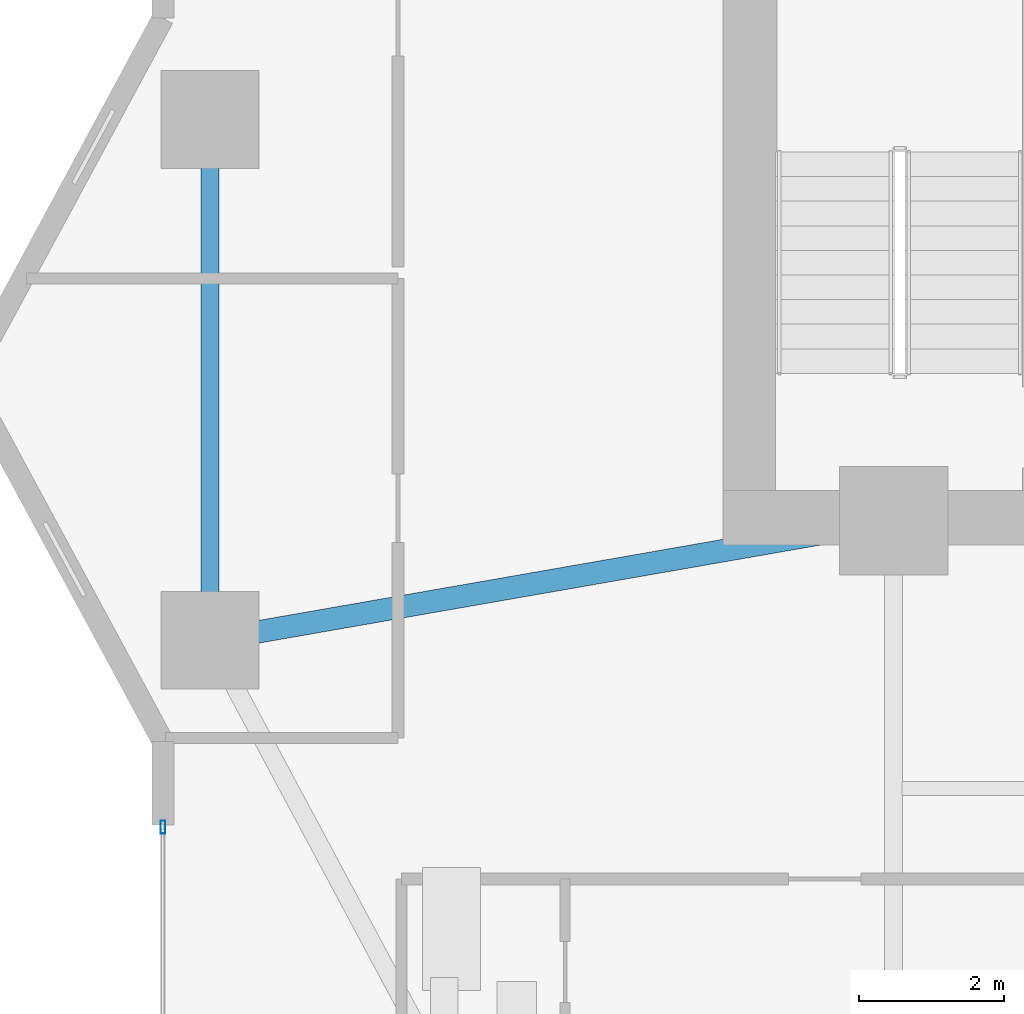
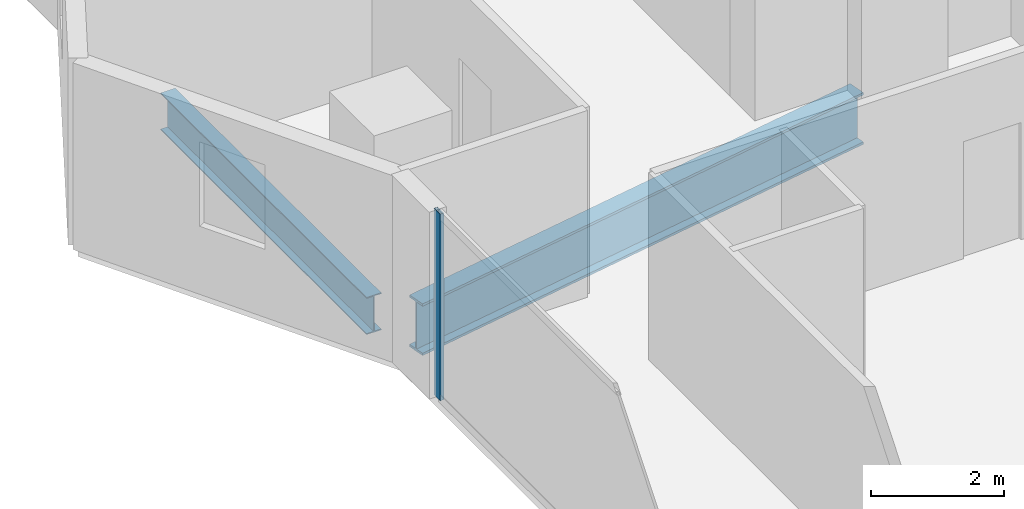
# One storey, part 7 of 28: 2 beams, 1 member, 1 element without a shape of its own.
"""IFC4 building model written with IfcOpenShell, lengths in metres."""

import ifcopenshell
import ifcopenshell.guid

model = None  # the IFC model being written
_history = None  # IfcOwnerHistory: only IFC2X3 demands one
_inside = {}  # id of a spatial element -> (the spatial element, [elements in it])
_under = {}  # id of a project, library or spatial element -> (it, [spatial elements below it])
_declared = {}  # id of a project -> (the project, [libraries it declares])
_typed = {}  # id of a type object -> (the type object, [elements of that type])
_made_of = {}  # id of a material, layer set ... -> (it, [elements and type objects made of it])


def new_model(schema):
    """Start an empty IFC model of exactly this schema.

    Asked for "IFC4X3", IfcOpenShell would pick the latest addendum, in which some entities
    have other attributes; the version numbers below select the first issue.
    IFC2X3 requires an IfcOwnerHistory on every rooted entity: one is made here for all.
    """
    global model, _history
    if schema == "IFC4X3":
        model = ifcopenshell.file(schema_version=(4, 3, 0, 0))
    else:
        model = ifcopenshell.file(schema=schema)
    _inside.clear()
    _under.clear()
    _declared.clear()
    _typed.clear()
    _made_of.clear()
    _history = None
    if model.schema == "IFC2X3":
        org = make("IfcOrganization", Name="unknown")
        user = make(
            "IfcPersonAndOrganization",
            ThePerson=make("IfcPerson", FamilyName="unknown"),
            TheOrganization=org,
        )
        app = make(
            "IfcApplication",
            ApplicationDeveloper=org,
            Version="unknown",
            ApplicationFullName="unknown",
            ApplicationIdentifier="unknown",
        )
        _history = make(
            "IfcOwnerHistory",
            OwningUser=user,
            OwningApplication=app,
            ChangeAction="ADDED",
            CreationDate=0,
        )
    return model


def make(cls, **values):
    """One entity of the class cls with the attributes given. An attribute that is None is left unset."""
    return model.create_entity(
        cls, **{name: value for name, value in values.items() if value is not None}
    )


def rooted(cls, **values):
    """An entity with a GlobalId (a new one), such as an element, a storey or a relation."""
    return make(cls, GlobalId=ifcopenshell.guid.new(), OwnerHistory=_history, **values)


def si_unit(unit_type, name, prefix=None):
    """IfcSIUnit, for example si_unit("LENGTHUNIT", "METRE", prefix="MILLI")."""
    return make("IfcSIUnit", UnitType=unit_type, Prefix=prefix, Name=name)


def assignment(units):
    """IfcUnitAssignment: the units of a project."""
    return None if units is None else make("IfcUnitAssignment", Units=units)


def point(xyz):
    """IfcCartesianPoint."""
    return None if xyz is None else make("IfcCartesianPoint", Coordinates=xyz)


def direction(xyz):
    """IfcDirection."""
    return None if xyz is None else make("IfcDirection", DirectionRatios=xyz)


def frame(location, z_axis=None, x_axis=None):
    """IfcAxis2Placement3D, a coordinate frame: its origin and axes. An axis left out is left unset."""
    return make(
        "IfcAxis2Placement3D",
        Location=point(location),
        Axis=direction(z_axis),
        RefDirection=direction(x_axis),
    )


def frame_2d(location, x_axis=None):
    """IfcAxis2Placement2D, a coordinate frame in the plane: its origin and x axis."""
    return make(
        "IfcAxis2Placement2D", Location=point(location), RefDirection=direction(x_axis)
    )


def origin():
    """The frame at (0, 0, 0) with its axes left unset."""
    return frame((0.0, 0.0, 0.0))


def origin_2d():
    """The frame at (0, 0) in the plane with its x axis left unset."""
    return frame_2d((0.0, 0.0))


def place(relative_to, where):
    """IfcLocalPlacement: puts the frame where relative to a parent placement (None: the world)."""
    return make(
        "IfcLocalPlacement", PlacementRelTo=relative_to, RelativePlacement=where
    )


def context(
    kind, dimensions, precision=None, world=None, true_north=None, identifier=None
):
    """IfcGeometricRepresentationContext, for example the 3D "Model" context."""
    return make(
        "IfcGeometricRepresentationContext",
        ContextIdentifier=identifier,
        ContextType=kind,
        CoordinateSpaceDimension=dimensions,
        Precision=precision,
        WorldCoordinateSystem=world,
        TrueNorth=true_north,
    )


def subcontext(parent, identifier, kind, view, scale=None):
    """IfcGeometricRepresentationSubContext, for example "Body" below "Model"."""
    return make(
        "IfcGeometricRepresentationSubContext",
        ContextIdentifier=identifier,
        ContextType=kind,
        ParentContext=parent,
        TargetScale=scale,
        TargetView=view,
    )


def project(units=None, contexts=None):
    """IfcProject with its units and contexts."""
    return rooted(
        "IfcProject",
        Name="project",
        RepresentationContexts=contexts,
        UnitsInContext=assignment(units),
    )


def spatial(cls, under=None, at=None, **own):
    """A site, building, storey or space (cls), placed at a placement, below another one or the project."""
    s = rooted(cls, ObjectPlacement=at, **own)
    if under is not None:
        _under.setdefault(under.id(), (under, []))[1].append(s)
    return s


def profile(cls, at=None, kind="AREA", **sizes):
    """A parametric profile (cls). Its sizes go by their IFC names, for example OverallWidth=200.0."""
    return make(cls, ProfileType=kind, Position=at, **sizes)


def hollow_rectangle(**sizes):
    """IfcRectangleHollowProfileDef."""
    return profile("IfcRectangleHollowProfileDef", **sizes)


def i_section(**sizes):
    """IfcIShapeProfileDef."""
    return profile("IfcIShapeProfileDef", **sizes)


def extrude(swept, where, along, depth):
    """IfcExtrudedAreaSolid: the profile swept, set in the frame where, extruded along a direction by depth."""
    return make(
        "IfcExtrudedAreaSolid",
        SweptArea=swept,
        Position=where,
        ExtrudedDirection=direction(along),
        Depth=depth,
    )


def shape(context_of_items, identifier, shape_type, items):
    """IfcShapeRepresentation: the items that make up one representation, for example the "Body"."""
    return make(
        "IfcShapeRepresentation",
        ContextOfItems=context_of_items,
        RepresentationIdentifier=identifier,
        RepresentationType=shape_type,
        Items=items,
    )


def material(Name=None, Category=None):
    """IfcMaterial."""
    return make("IfcMaterial", Name=Name, Category=Category)


def layer(
    of_material, thickness, ventilated=None, Name=None, Category=None, Priority=None
):
    """IfcMaterialLayer: one layer of a wall or slab, of a material (None: an air gap)."""
    return make(
        "IfcMaterialLayer",
        Material=of_material,
        LayerThickness=thickness,
        IsVentilated=ventilated,
        Name=Name,
        Category=Category,
        Priority=Priority,
    )


def layer_set(layers, Name=None):
    """IfcMaterialLayerSet."""
    return make("IfcMaterialLayerSet", MaterialLayers=layers, LayerSetName=Name)


def material_profile(
    of_material, cross_section, Name=None, Category=None, Priority=None
):
    """IfcMaterialProfile: a cross section and its material."""
    return make(
        "IfcMaterialProfile",
        Name=Name,
        Material=of_material,
        Profile=cross_section,
        Priority=Priority,
        Category=Category,
    )


def profile_set(profiles, Name=None, composite=None):
    """IfcMaterialProfileSet."""
    return make(
        "IfcMaterialProfileSet",
        Name=Name,
        MaterialProfiles=profiles,
        CompositeProfile=composite,
    )


def made_of(thing, what):
    """Note that an element or type object is made of a material, layer set ...; save() writes the relation."""
    if what is not None:
        _made_of.setdefault(what.id(), (what, []))[1].append(thing)
    return thing


def type_object(cls, material=None, **own):
    """A type object (cls), such as IfcWallType, which elements share."""
    return made_of(rooted(cls, **own), material)


def element(
    cls,
    number,
    at=None,
    inside=None,
    cuts=None,
    type_object=None,
    material=None,
    context=None,
    identifier="Body",
    shape_type=None,
    held_by="IfcProductDefinitionShape",
    body=None,
    shapes=None,
    **own,
):
    """One element of the class cls, such as IfcWall. Its Tag is "e" and its number.

    at: its placement. inside: the storey or other place that contains it. cuts: it is an
    opening in that element (IfcRelVoidsElement). A single representation is given by context,
    identifier, shape_type and body (its items); several are given by shapes. held_by: the class
    of the entity that holds the representations. save() writes the other relations.
    """
    e = rooted(cls, Tag="e%d" % number, ObjectPlacement=at, **own)
    if body is not None:
        shapes = [shape(context, identifier, shape_type, body)]
    if shapes is not None:
        e.Representation = make(held_by, Representations=shapes)
    if inside is not None:
        _inside.setdefault(inside.id(), (inside, []))[1].append(e)
    if cuts is not None:
        rooted(
            "IfcRelVoidsElement", RelatingBuildingElement=cuts, RelatedOpeningElement=e
        )
    if type_object is not None:
        _typed.setdefault(type_object.id(), (type_object, []))[1].append(e)
    return made_of(e, material)


def aggregate(whole, parts):
    """IfcRelAggregates: a whole, such as a stair, and the parts it consists of."""
    return rooted("IfcRelAggregates", RelatingObject=whole, RelatedObjects=parts)


def save(model, path):
    """Write the relations noted so far, then the file.

    IfcRelAggregates (storeys below a building ...), IfcRelContainedInSpatialStructure (elements
    in a storey), IfcRelDefinesByType, IfcRelAssociatesMaterial and IfcRelDeclares: one each for
    every whole, place, type object, material and project.
    """
    for whole, parts in _under.values():
        aggregate(whole, parts)
    for where, things in _inside.values():
        rooted(
            "IfcRelContainedInSpatialStructure",
            RelatedElements=things,
            RelatingStructure=where,
        )
    for kind, things in _typed.values():
        rooted("IfcRelDefinesByType", RelatedObjects=things, RelatingType=kind)
    for what, things in _made_of.values():
        rooted("IfcRelAssociatesMaterial", RelatedObjects=things, RelatingMaterial=what)
    for by, libraries in _declared.values():
        rooted("IfcRelDeclares", RelatingContext=by, RelatedDefinitions=libraries)
    model.write(path)


model = new_model("IFC4")

# Units and contexts
model_context = context("Model", 3, precision=1e-05, world=origin(), true_north=direction((0.0, 1.0)))
body_context = subcontext(model_context, "Body", "Model", "MODEL_VIEW")
ifc_project = project(units=[si_unit("LENGTHUNIT", "METRE"), si_unit("AREAUNIT", "SQUARE_METRE"), si_unit("VOLUMEUNIT", "CUBIC_METRE"), si_unit("PLANEANGLEUNIT", "RADIAN"), si_unit("MASSUNIT", "GRAM", prefix="KILO")], contexts=[model_context])

# Site, building, storey
site_placement = place(None, origin())
site = spatial("IfcSite", under=ifc_project, at=site_placement, CompositionType="ELEMENT")
building_placement = place(site_placement, origin())
building = spatial("IfcBuilding", under=site, at=building_placement, Name="Zuhayl Quay Hotel", CompositionType="ELEMENT")
storey_placement = place(building_placement, frame((0.0, 0.0, 99.300048828125)))
storey = spatial("IfcBuildingStorey", under=building, at=storey_placement, Name="L24", CompositionType="ELEMENT", Elevation=99.300048828125)

# Beams
ifc_material_1 = material(Name="Steel ASTM A992 Grade 50", Category="steel")
ifc_material_profile_1 = material_profile(ifc_material_1, i_section(OverallWidth=0.25390625, OverallDepth=0.68310546875, WebThickness=0.012451171875, FlangeThickness=0.018798828125, at=origin_2d()), Name="W27X94")
ifc_profile_set_1 = profile_set([ifc_material_profile_1], Name="Steel ASTM A992 Grade 50")
beam_type_1 = type_object("IfcBeamType", Name="BM_B2_W27X94", PredefinedType="BEAM", material=ifc_profile_set_1)
beam_1_placement = place(storey_placement, frame((-23.25, 9.60009765625, -0.5615234375), z_axis=(0.0, -1.0, 0.0), x_axis=(1.0, 0.0, 0.0)))
element("IfcBeam", 1, at=beam_1_placement, inside=storey, type_object=beam_type_1, Name="L24 Floor Beam RG_L24_11", PredefinedType="BEAM", context=body_context, shape_type="SweptSolid", body=[
    extrude(i_section(OverallWidth=0.25390625, OverallDepth=0.68310546875, WebThickness=0.012451171875, FlangeThickness=0.018798828125, at=origin_2d()), origin(), (0.0, 0.0, 1.0), 6.2001953125),
])
ifc_material_profile_2 = material_profile(ifc_material_1, i_section(OverallWidth=0.31005859375, OverallDepth=0.949951171875, WebThickness=0.0244140625, FlangeThickness=0.0439453125, at=origin_2d()), Name="W36X256")
ifc_profile_set_2 = profile_set([ifc_material_profile_2], Name="Steel ASTM A992 Grade 50")
beam_type_2 = type_object("IfcBeamType", Name="BM_PG1_W36X256", PredefinedType="BEAM", material=ifc_profile_set_2)
beam_2_placement = place(storey_placement, frame((-22.757568359375, 2.986083984375, -0.695068359375), z_axis=(0.985097302632, 0.171997977741, 0.0), x_axis=(-0.171997977741, 0.985097302632, 0.0)))
element("IfcBeam", 2, at=beam_2_placement, inside=storey, type_object=beam_type_2, Name="L24 Floor Beam FG_W_L24_1", PredefinedType="BEAM", context=body_context, shape_type="SweptSolid", body=[
    extrude(i_section(OverallWidth=0.31005859375, OverallDepth=0.949951171875, WebThickness=0.0244140625, FlangeThickness=0.0439453125, at=origin_2d()), origin(), (0.0, 0.0, 1.0), 8.64306640625),
])

# Curtain wall, member
ifc_material_2 = material(Name="Anodised Aluminium 6063-T6", Category="aluminium")
ifc_layer = layer(ifc_material_2, 0.179931640625, Name="Anodised Aluminium 6063-T6", Category="aluminium")
ifc_layer_set = layer_set([ifc_layer], Name="Anodised Aluminium 6063-T6")
curtain_wall_type = type_object("IfcCurtainWallType", Name="CW_SYS_Z2", PredefinedType="USERDEFINED", material=ifc_layer_set)
curtain_wall_placement = place(storey_placement, origin())
curtain_wall = element("IfcCurtainWall", 3, at=curtain_wall_placement, inside=storey, type_object=curtain_wall_type, Name="L24 Curtain Wall ENV_L24_E02_CW1", ObjectType="UNITISED CURTAIN WALL", PredefinedType="USERDEFINED")
ifc_material_3 = material(Name="Black-anodised aluminium 6063-T6", Category="aluminium")
ifc_material_profile_3 = material_profile(ifc_material_3, hollow_rectangle(XDim=0.06494140625, YDim=0.179931640625, WallThickness=0.00341796875, at=origin_2d()), Name="ALU180X65")
ifc_profile_set_3 = profile_set([ifc_material_profile_3], Name="Black-anodised aluminium 6063-T6")
member_type = type_object("IfcMemberType", Name="MB_CW_MUL_180", PredefinedType="MULLION", material=ifc_profile_set_3)
member_placement = place(storey_placement, frame((-23.89990234375, 0.3173828125, 0.0), z_axis=(0.0, 0.0, 1.0), x_axis=(-1.0, 0.0, 0.0)))
member = element("IfcMember", 4, at=member_placement, type_object=member_type, Name="CW-Z2 mullion 2", PredefinedType="MULLION", context=body_context, shape_type="SweptSolid", body=[
    extrude(hollow_rectangle(XDim=0.06494140625, YDim=0.179931640625, WallThickness=0.00341796875, at=origin_2d()), origin(), (0.0, 0.0, 1.0), 3.429931640625),
])
aggregate(curtain_wall, [member])

save(model, "model.ifc")
